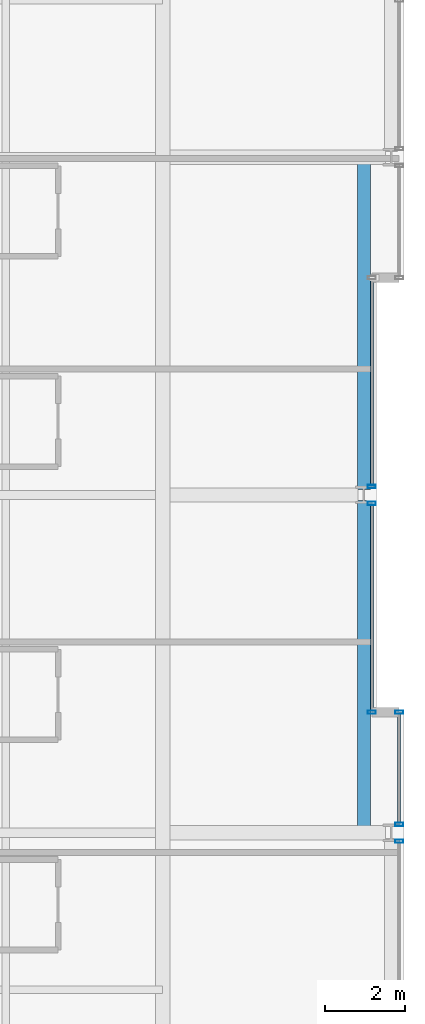
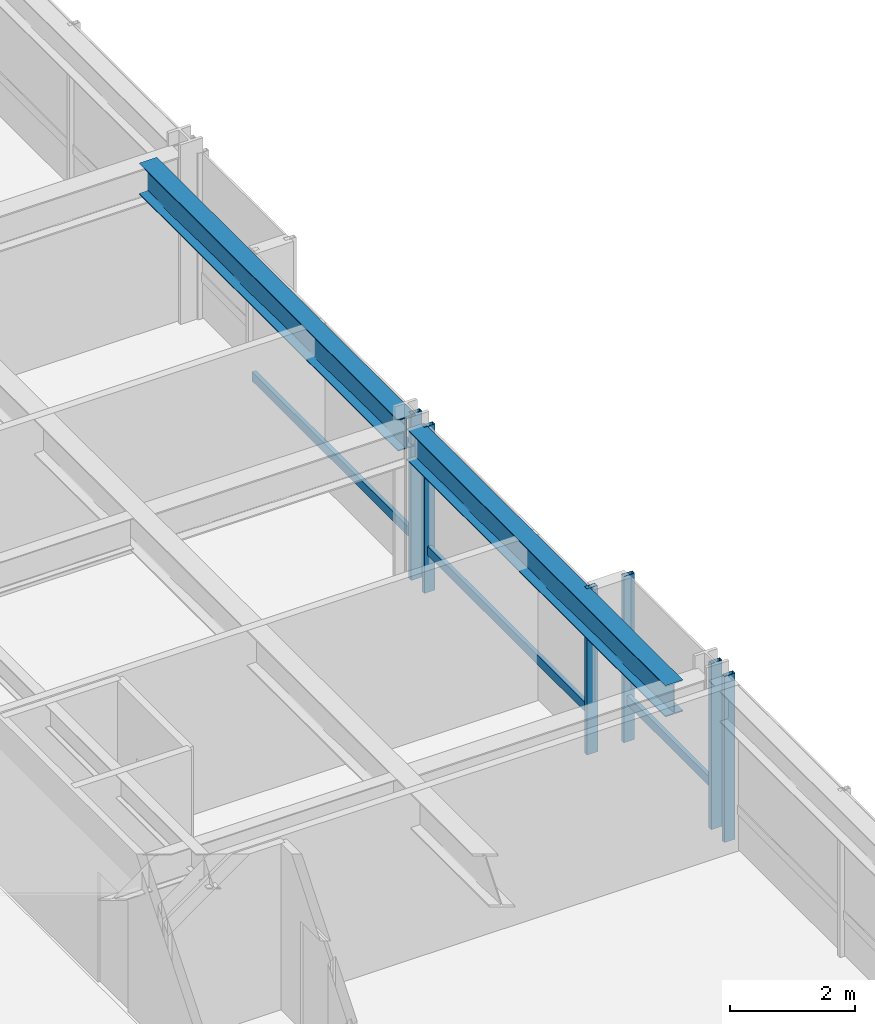
# One storey, part 15 of 35: 9 members, 2 beams, 4 elements without a shape of their own.
"""IFC4 building model written with IfcOpenShell, lengths in metres."""

import ifcopenshell
import ifcopenshell.guid

model = None  # the IFC model being written
_history = None  # IfcOwnerHistory: only IFC2X3 demands one
_inside = {}  # id of a spatial element -> (the spatial element, [elements in it])
_under = {}  # id of a project, library or spatial element -> (it, [spatial elements below it])
_declared = {}  # id of a project -> (the project, [libraries it declares])
_typed = {}  # id of a type object -> (the type object, [elements of that type])
_made_of = {}  # id of a material, layer set ... -> (it, [elements and type objects made of it])


def new_model(schema):
    """Start an empty IFC model of exactly this schema.

    Asked for "IFC4X3", IfcOpenShell would pick the latest addendum, in which some entities
    have other attributes; the version numbers below select the first issue.
    IFC2X3 requires an IfcOwnerHistory on every rooted entity: one is made here for all.
    """
    global model, _history
    if schema == "IFC4X3":
        model = ifcopenshell.file(schema_version=(4, 3, 0, 0))
    else:
        model = ifcopenshell.file(schema=schema)
    _inside.clear()
    _under.clear()
    _declared.clear()
    _typed.clear()
    _made_of.clear()
    _history = None
    if model.schema == "IFC2X3":
        org = make("IfcOrganization", Name="unknown")
        user = make(
            "IfcPersonAndOrganization",
            ThePerson=make("IfcPerson", FamilyName="unknown"),
            TheOrganization=org,
        )
        app = make(
            "IfcApplication",
            ApplicationDeveloper=org,
            Version="unknown",
            ApplicationFullName="unknown",
            ApplicationIdentifier="unknown",
        )
        _history = make(
            "IfcOwnerHistory",
            OwningUser=user,
            OwningApplication=app,
            ChangeAction="ADDED",
            CreationDate=0,
        )
    return model


def make(cls, **values):
    """One entity of the class cls with the attributes given. An attribute that is None is left unset."""
    return model.create_entity(
        cls, **{name: value for name, value in values.items() if value is not None}
    )


def rooted(cls, **values):
    """An entity with a GlobalId (a new one), such as an element, a storey or a relation."""
    return make(cls, GlobalId=ifcopenshell.guid.new(), OwnerHistory=_history, **values)


def si_unit(unit_type, name, prefix=None):
    """IfcSIUnit, for example si_unit("LENGTHUNIT", "METRE", prefix="MILLI")."""
    return make("IfcSIUnit", UnitType=unit_type, Prefix=prefix, Name=name)


def assignment(units):
    """IfcUnitAssignment: the units of a project."""
    return None if units is None else make("IfcUnitAssignment", Units=units)


def point(xyz):
    """IfcCartesianPoint."""
    return None if xyz is None else make("IfcCartesianPoint", Coordinates=xyz)


def direction(xyz):
    """IfcDirection."""
    return None if xyz is None else make("IfcDirection", DirectionRatios=xyz)


def frame(location, z_axis=None, x_axis=None):
    """IfcAxis2Placement3D, a coordinate frame: its origin and axes. An axis left out is left unset."""
    return make(
        "IfcAxis2Placement3D",
        Location=point(location),
        Axis=direction(z_axis),
        RefDirection=direction(x_axis),
    )


def frame_2d(location, x_axis=None):
    """IfcAxis2Placement2D, a coordinate frame in the plane: its origin and x axis."""
    return make(
        "IfcAxis2Placement2D", Location=point(location), RefDirection=direction(x_axis)
    )


def origin():
    """The frame at (0, 0, 0) with its axes left unset."""
    return frame((0.0, 0.0, 0.0))


def origin_2d():
    """The frame at (0, 0) in the plane with its x axis left unset."""
    return frame_2d((0.0, 0.0))


def place(relative_to, where):
    """IfcLocalPlacement: puts the frame where relative to a parent placement (None: the world)."""
    return make(
        "IfcLocalPlacement", PlacementRelTo=relative_to, RelativePlacement=where
    )


def context(
    kind, dimensions, precision=None, world=None, true_north=None, identifier=None
):
    """IfcGeometricRepresentationContext, for example the 3D "Model" context."""
    return make(
        "IfcGeometricRepresentationContext",
        ContextIdentifier=identifier,
        ContextType=kind,
        CoordinateSpaceDimension=dimensions,
        Precision=precision,
        WorldCoordinateSystem=world,
        TrueNorth=true_north,
    )


def subcontext(parent, identifier, kind, view, scale=None):
    """IfcGeometricRepresentationSubContext, for example "Body" below "Model"."""
    return make(
        "IfcGeometricRepresentationSubContext",
        ContextIdentifier=identifier,
        ContextType=kind,
        ParentContext=parent,
        TargetScale=scale,
        TargetView=view,
    )


def project(units=None, contexts=None):
    """IfcProject with its units and contexts."""
    return rooted(
        "IfcProject",
        Name="project",
        RepresentationContexts=contexts,
        UnitsInContext=assignment(units),
    )


def spatial(cls, under=None, at=None, **own):
    """A site, building, storey or space (cls), placed at a placement, below another one or the project."""
    s = rooted(cls, ObjectPlacement=at, **own)
    if under is not None:
        _under.setdefault(under.id(), (under, []))[1].append(s)
    return s


def profile(cls, at=None, kind="AREA", **sizes):
    """A parametric profile (cls). Its sizes go by their IFC names, for example OverallWidth=200.0."""
    return make(cls, ProfileType=kind, Position=at, **sizes)


def hollow_rectangle(**sizes):
    """IfcRectangleHollowProfileDef."""
    return profile("IfcRectangleHollowProfileDef", **sizes)


def i_section(**sizes):
    """IfcIShapeProfileDef."""
    return profile("IfcIShapeProfileDef", **sizes)


def extrude(swept, where, along, depth):
    """IfcExtrudedAreaSolid: the profile swept, set in the frame where, extruded along a direction by depth."""
    return make(
        "IfcExtrudedAreaSolid",
        SweptArea=swept,
        Position=where,
        ExtrudedDirection=direction(along),
        Depth=depth,
    )


def shape(context_of_items, identifier, shape_type, items):
    """IfcShapeRepresentation: the items that make up one representation, for example the "Body"."""
    return make(
        "IfcShapeRepresentation",
        ContextOfItems=context_of_items,
        RepresentationIdentifier=identifier,
        RepresentationType=shape_type,
        Items=items,
    )


def material(Name=None, Category=None):
    """IfcMaterial."""
    return make("IfcMaterial", Name=Name, Category=Category)


def layer(
    of_material, thickness, ventilated=None, Name=None, Category=None, Priority=None
):
    """IfcMaterialLayer: one layer of a wall or slab, of a material (None: an air gap)."""
    return make(
        "IfcMaterialLayer",
        Material=of_material,
        LayerThickness=thickness,
        IsVentilated=ventilated,
        Name=Name,
        Category=Category,
        Priority=Priority,
    )


def layer_set(layers, Name=None):
    """IfcMaterialLayerSet."""
    return make("IfcMaterialLayerSet", MaterialLayers=layers, LayerSetName=Name)


def material_profile(
    of_material, cross_section, Name=None, Category=None, Priority=None
):
    """IfcMaterialProfile: a cross section and its material."""
    return make(
        "IfcMaterialProfile",
        Name=Name,
        Material=of_material,
        Profile=cross_section,
        Priority=Priority,
        Category=Category,
    )


def profile_set(profiles, Name=None, composite=None):
    """IfcMaterialProfileSet."""
    return make(
        "IfcMaterialProfileSet",
        Name=Name,
        MaterialProfiles=profiles,
        CompositeProfile=composite,
    )


def made_of(thing, what):
    """Note that an element or type object is made of a material, layer set ...; save() writes the relation."""
    if what is not None:
        _made_of.setdefault(what.id(), (what, []))[1].append(thing)
    return thing


def type_object(cls, material=None, **own):
    """A type object (cls), such as IfcWallType, which elements share."""
    return made_of(rooted(cls, **own), material)


def element(
    cls,
    number,
    at=None,
    inside=None,
    cuts=None,
    type_object=None,
    material=None,
    context=None,
    identifier="Body",
    shape_type=None,
    held_by="IfcProductDefinitionShape",
    body=None,
    shapes=None,
    **own,
):
    """One element of the class cls, such as IfcWall. Its Tag is "e" and its number.

    at: its placement. inside: the storey or other place that contains it. cuts: it is an
    opening in that element (IfcRelVoidsElement). A single representation is given by context,
    identifier, shape_type and body (its items); several are given by shapes. held_by: the class
    of the entity that holds the representations. save() writes the other relations.
    """
    e = rooted(cls, Tag="e%d" % number, ObjectPlacement=at, **own)
    if body is not None:
        shapes = [shape(context, identifier, shape_type, body)]
    if shapes is not None:
        e.Representation = make(held_by, Representations=shapes)
    if inside is not None:
        _inside.setdefault(inside.id(), (inside, []))[1].append(e)
    if cuts is not None:
        rooted(
            "IfcRelVoidsElement", RelatingBuildingElement=cuts, RelatedOpeningElement=e
        )
    if type_object is not None:
        _typed.setdefault(type_object.id(), (type_object, []))[1].append(e)
    return made_of(e, material)


def aggregate(whole, parts):
    """IfcRelAggregates: a whole, such as a stair, and the parts it consists of."""
    return rooted("IfcRelAggregates", RelatingObject=whole, RelatedObjects=parts)


def save(model, path):
    """Write the relations noted so far, then the file.

    IfcRelAggregates (storeys below a building ...), IfcRelContainedInSpatialStructure (elements
    in a storey), IfcRelDefinesByType, IfcRelAssociatesMaterial and IfcRelDeclares: one each for
    every whole, place, type object, material and project.
    """
    for whole, parts in _under.values():
        aggregate(whole, parts)
    for where, things in _inside.values():
        rooted(
            "IfcRelContainedInSpatialStructure",
            RelatedElements=things,
            RelatingStructure=where,
        )
    for kind, things in _typed.values():
        rooted("IfcRelDefinesByType", RelatedObjects=things, RelatingType=kind)
    for what, things in _made_of.values():
        rooted("IfcRelAssociatesMaterial", RelatedObjects=things, RelatingMaterial=what)
    for by, libraries in _declared.values():
        rooted("IfcRelDeclares", RelatingContext=by, RelatedDefinitions=libraries)
    model.write(path)


model = new_model("IFC4")

# Units and contexts
model_context = context("Model", 3, precision=1e-05, world=origin(), true_north=direction((0.0, 1.0)))
body_context = subcontext(model_context, "Body", "Model", "MODEL_VIEW")
ifc_project = project(units=[si_unit("LENGTHUNIT", "METRE"), si_unit("AREAUNIT", "SQUARE_METRE"), si_unit("VOLUMEUNIT", "CUBIC_METRE"), si_unit("PLANEANGLEUNIT", "RADIAN"), si_unit("MASSUNIT", "GRAM", prefix="KILO")], contexts=[model_context])

# Site, building, storey
site_placement = place(None, origin())
site = spatial("IfcSite", under=ifc_project, at=site_placement, CompositionType="ELEMENT")
building_placement = place(site_placement, origin())
building = spatial("IfcBuilding", under=site, at=building_placement, Name="Drelvath Grand Hotel", CompositionType="ELEMENT")
storey_placement = place(building_placement, frame((0.0, 0.0, 130.300048828125)))
storey = spatial("IfcBuildingStorey", under=building, at=storey_placement, Name="L33", CompositionType="ELEMENT", Elevation=130.300048828125)

# Curtain wall, member
ifc_material_1 = material(Name="Champagne Bronze Anodised Aluminium Frame", Category="aluminium")
ifc_layer = layer(ifc_material_1, 0.199951171875)
ifc_layer_set = layer_set([ifc_layer], Name="Champagne Bronze Anodised Aluminium Frame")
curtain_wall_type = type_object("IfcCurtainWallType", Name="Stick Curtain Wall CW-03 Champagne Bronze Mid-Rise", PredefinedType="NOTDEFINED", material=ifc_layer_set)
curtain_wall_1_placement = place(storey_placement, origin())
curtain_wall_1 = element("IfcCurtainWall", 1, at=curtain_wall_1_placement, inside=storey, type_object=curtain_wall_type, Name="L33 CW-03 Curtain Wall CW03-L33-EM1", PredefinedType="NOTDEFINED")
ifc_material_profile_1 = material_profile(ifc_material_1, hollow_rectangle(XDim=0.074951171875, YDim=0.179931640625, WallThickness=0.0048828125, at=origin_2d()), Name="HSS180X75X5")
ifc_profile_set_1 = profile_set([ifc_material_profile_1], Name="Champagne Bronze Anodised Aluminium Frame")
member_type_1 = type_object("IfcMemberType", Name="Curtain Wall Horizontal Transom CW-03 HSS180X75X5", PredefinedType="USERDEFINED", material=ifc_profile_set_1)
member_1_placement = place(storey_placement, frame((21.39990234375, 26.75048828125, 0.81005859375), z_axis=(0.0, -1.0, 0.0), x_axis=(1.0, 0.0, 0.0)))
member_1 = element("IfcMember", 2, at=member_1_placement, type_object=member_type_1, Name="CW03-L33-EM1 Sill Transom", ObjectType="TRANSOM", PredefinedType="USERDEFINED", context=body_context, shape_type="SweptSolid", body=[
    extrude(hollow_rectangle(XDim=0.074951171875, YDim=0.179931640625, WallThickness=0.0048828125, at=origin_2d()), origin(), (0.0, 0.0, 1.0), 5.110595703125),
])

curtain_wall_2_placement = place(storey_placement, origin())
curtain_wall_2 = element("IfcCurtainWall", 3, at=curtain_wall_2_placement, inside=storey, type_object=curtain_wall_type, Name="L33 CW-03 Curtain Wall CW03-L33-EM2", PredefinedType="NOTDEFINED")
member_2_placement = place(storey_placement, frame((21.39990234375, 32.360107421875, 0.81005859375), z_axis=(0.0, -1.0, 0.0), x_axis=(1.0, 0.0, 0.0)))
member_2 = element("IfcMember", 4, at=member_2_placement, type_object=member_type_1, Name="CW03-L33-EM2 Sill Transom", ObjectType="TRANSOM", PredefinedType="USERDEFINED", context=body_context, shape_type="SweptSolid", body=[
    extrude(hollow_rectangle(XDim=0.074951171875, YDim=0.179931640625, WallThickness=0.0048828125, at=origin_2d()), origin(), (0.0, 0.0, 1.0), 5.110595703125),
])

curtain_wall_3_placement = place(storey_placement, origin())
curtain_wall_3 = element("IfcCurtainWall", 5, at=curtain_wall_3_placement, inside=storey, type_object=curtain_wall_type, Name="L33 CW-03 Curtain Wall CW03-L33-ES3", PredefinedType="NOTDEFINED")
member_3_placement = place(storey_placement, frame((22.080078125, 21.56005859375, 0.81005859375), z_axis=(0.0, -1.0, 0.0), x_axis=(1.0, 0.0, 0.0)))
member_3 = element("IfcMember", 6, at=member_3_placement, type_object=member_type_1, Name="CW03-L33-ES3 Sill Transom", ObjectType="TRANSOM", PredefinedType="USERDEFINED", context=body_context, shape_type="SweptSolid", body=[
    extrude(hollow_rectangle(XDim=0.074951171875, YDim=0.179931640625, WallThickness=0.0048828125, at=origin_2d()), origin(), (0.0, 0.0, 1.0), 2.710693359375),
])

# Member
ifc_material_profile_2 = material_profile(ifc_material_1, hollow_rectangle(XDim=0.080078125, YDim=0.199951171875, WallThickness=0.0048828125, at=origin_2d()), Name="HSS200X80X5")
ifc_profile_set_2 = profile_set([ifc_material_profile_2], Name="Champagne Bronze Anodised Aluminium Frame")
member_type_2 = type_object("IfcMemberType", Name="Curtain Wall Vertical Mullion CW-03 HSS200X80X5", PredefinedType="MULLION", material=ifc_profile_set_2)
member_4_placement = place(storey_placement, frame((21.39990234375, 26.79052734375, 0.0), z_axis=(0.0, 0.0, 1.0), x_axis=(0.0, 1.0, 0.0)))
member_4 = element("IfcMember", 7, at=member_4_placement, type_object=member_type_2, Name="CW03-L33-EM1 Mullion 1", PredefinedType="MULLION", context=body_context, shape_type="SweptSolid", body=[
    extrude(hollow_rectangle(XDim=0.080078125, YDim=0.199951171875, WallThickness=0.0048828125, at=origin_2d()), origin(), (0.0, 0.0, 1.0), 3.239990234375),
])

member_5_placement = place(storey_placement, frame((21.39990234375, 21.60009765625, 0.0), z_axis=(0.0, 0.0, 1.0), x_axis=(0.0, 1.0, 0.0)))
member_5 = element("IfcMember", 8, at=member_5_placement, type_object=member_type_2, Name="CW03-L33-EM1 Mullion 2", PredefinedType="MULLION", context=body_context, shape_type="SweptSolid", body=[
    extrude(hollow_rectangle(XDim=0.080078125, YDim=0.199951171875, WallThickness=0.0048828125, at=origin_2d()), origin(), (0.0, 0.0, 1.0), 3.239990234375),
])

aggregate(curtain_wall_1, [member_4, member_5, member_1])

member_6_placement = place(storey_placement, frame((21.39990234375, 27.20947265625, 0.0), z_axis=(0.0, 0.0, 1.0), x_axis=(0.0, 1.0, 0.0)))
member_6 = element("IfcMember", 9, at=member_6_placement, type_object=member_type_2, Name="CW03-L33-EM2 Mullion 2", PredefinedType="MULLION", context=body_context, shape_type="SweptSolid", body=[
    extrude(hollow_rectangle(XDim=0.080078125, YDim=0.199951171875, WallThickness=0.0048828125, at=origin_2d()), origin(), (0.0, 0.0, 1.0), 3.239990234375),
])

aggregate(curtain_wall_2, [member_6, member_2])

# Curtain wall, member
curtain_wall_4_placement = place(storey_placement, origin())
curtain_wall_4 = element("IfcCurtainWall", 10, at=curtain_wall_4_placement, inside=storey, type_object=curtain_wall_type, Name="L33 CW-03 Curtain Wall CW03-L33-ES2", PredefinedType="NOTDEFINED")
member_7_placement = place(storey_placement, frame((22.080078125, 18.390625, 0.0), z_axis=(0.0, 0.0, 1.0), x_axis=(0.0, 1.0, 0.0)))
member_7 = element("IfcMember", 11, at=member_7_placement, type_object=member_type_2, Name="CW03-L33-ES2 Mullion 1", PredefinedType="MULLION", context=body_context, shape_type="SweptSolid", body=[
    extrude(hollow_rectangle(XDim=0.080078125, YDim=0.199951171875, WallThickness=0.0048828125, at=origin_2d()), origin(), (0.0, 0.0, 1.0), 3.239990234375),
])
aggregate(curtain_wall_4, [member_7])

# Member
member_8_placement = place(storey_placement, frame((22.080078125, 21.60009765625, 0.0), z_axis=(0.0, 0.0, 1.0), x_axis=(0.0, 1.0, 0.0)))
member_8 = element("IfcMember", 12, at=member_8_placement, type_object=member_type_2, Name="CW03-L33-ES3 Mullion 1", PredefinedType="MULLION", context=body_context, shape_type="SweptSolid", body=[
    extrude(hollow_rectangle(XDim=0.080078125, YDim=0.199951171875, WallThickness=0.0048828125, at=origin_2d()), origin(), (0.0, 0.0, 1.0), 3.239990234375),
])

member_9_placement = place(storey_placement, frame((22.080078125, 18.809326171875, 0.0), z_axis=(0.0, 0.0, 1.0), x_axis=(0.0, 1.0, 0.0)))
member_9 = element("IfcMember", 13, at=member_9_placement, type_object=member_type_2, Name="CW03-L33-ES3 Mullion 2", PredefinedType="MULLION", context=body_context, shape_type="SweptSolid", body=[
    extrude(hollow_rectangle(XDim=0.080078125, YDim=0.199951171875, WallThickness=0.0048828125, at=origin_2d()), origin(), (0.0, 0.0, 1.0), 3.239990234375),
])

aggregate(curtain_wall_3, [member_8, member_9, member_3])

# Beams
ifc_material_2 = material(Name="Steel ASTM A992 Gr 50", Category="steel")
ifc_material_profile_3 = material_profile(ifc_material_2, i_section(OverallWidth=0.323974609375, OverallDepth=0.611083984375, WebThickness=0.0126953125, FlangeThickness=0.01904296875, FilletRadius=0.02197265625, at=origin_2d()), Name="W24X104")
ifc_profile_set_3 = profile_set([ifc_material_profile_3], Name="Steel ASTM A992 Gr 50")
beam_type = type_object("IfcBeamType", Name="Perimeter Spandrel Beam W24X104", PredefinedType="SPANDREL", material=ifc_profile_set_3)
for number, where, z_axis, x_axis, name in (
    (14, (21.199951171875, 18.60009765625, 2.934326171875), (0.0, 1.0, 0.0), (-1.0, 0.0, 0.0), "L33 Spandrel East Mid S"),
    (15, (21.199951171875, 27.139892578125, 2.934326171875), (0.0, 1.0, 0.0), (-1.0, 0.0, 0.0), "L33 Spandrel East Mid N"),
):
    element("IfcBeam", number, at=place(storey_placement, frame(where, z_axis=z_axis, x_axis=x_axis)), inside=storey, type_object=beam_type, Name=name, PredefinedType="SPANDREL", context=body_context, shape_type="SweptSolid", body=[
        extrude(i_section(OverallWidth=0.323974609375, OverallDepth=0.611083984375, WebThickness=0.0126953125, FlangeThickness=0.01904296875, FilletRadius=0.02197265625, at=origin_2d()), origin(), (0.0, 0.0, 1.0), 8.260009765625),
    ])

save(model, "model.ifc")
